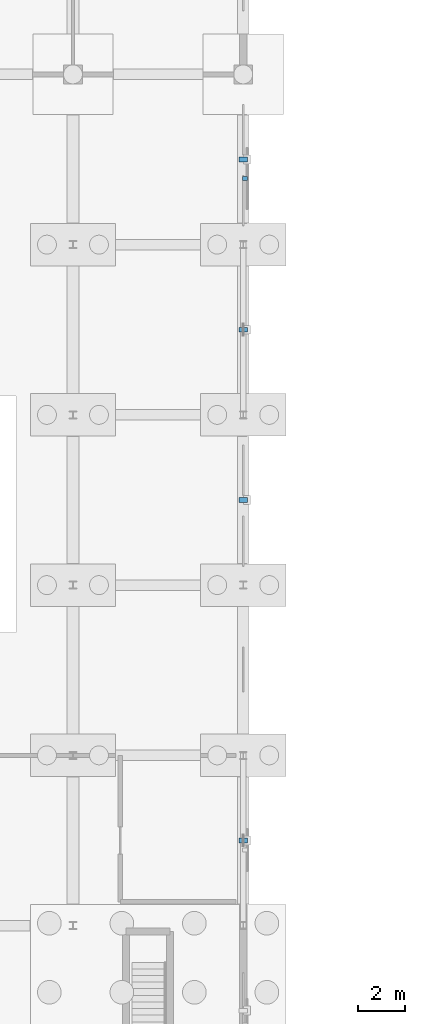
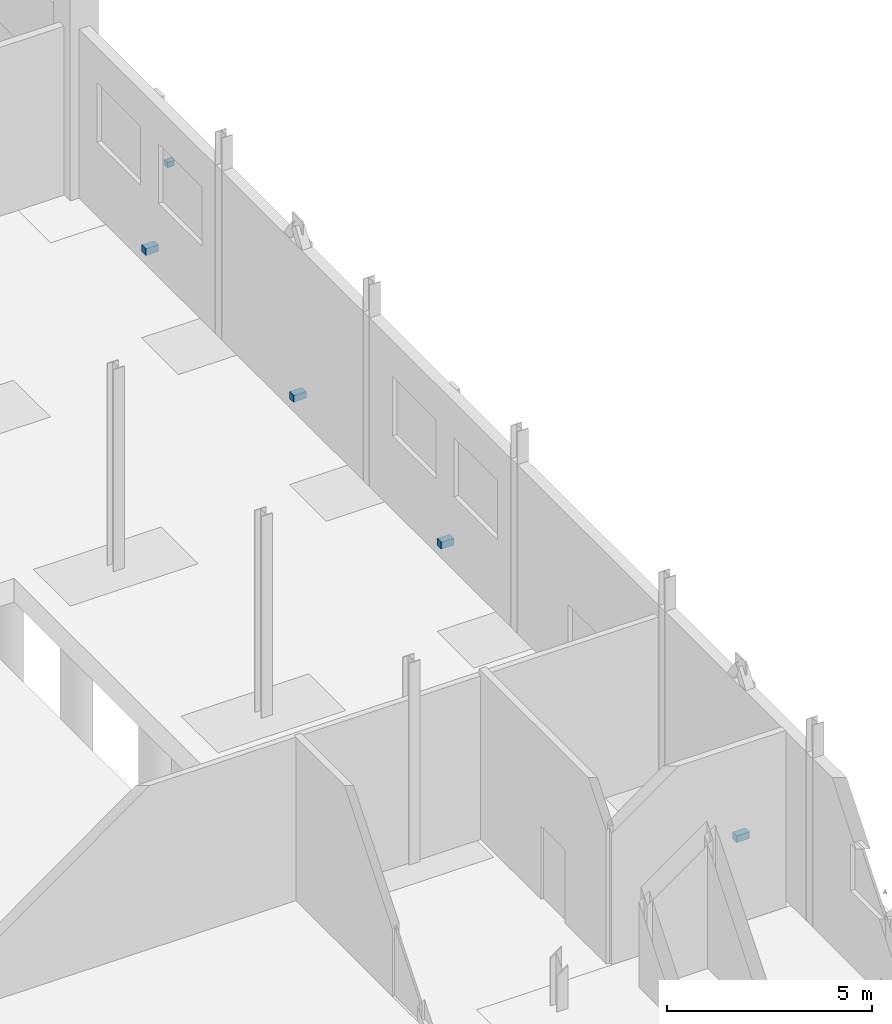
# One storey, part 40 of 45: 5 discrete accessories.
"""IFC4 building model written with IfcOpenShell, lengths in metres."""

from ifc_helpers import new_model, si_unit, direction, frame, origin, origin_2d, place, context, subcontext, project, spatial, rectangle, extrude, material, type_object, element, save


model = new_model("IFC4")

# Units and contexts
model_context = context("Model", 3, precision=1e-05, world=origin(), true_north=direction((0.0, 1.0)))
body_context = subcontext(model_context, "Body", "Model", "MODEL_VIEW")
ifc_project = project(units=[si_unit("LENGTHUNIT", "METRE"), si_unit("AREAUNIT", "SQUARE_METRE"), si_unit("VOLUMEUNIT", "CUBIC_METRE"), si_unit("PLANEANGLEUNIT", "RADIAN"), si_unit("MASSUNIT", "GRAM", prefix="KILO")], contexts=[model_context])

# Site, building, storey
site_placement = place(None, origin())
site = spatial("IfcSite", under=ifc_project, at=site_placement, CompositionType="ELEMENT")
building_placement = place(site_placement, origin())
building = spatial("IfcBuilding", under=site, at=building_placement, Name="Yarey Park Central Fire Station", CompositionType="ELEMENT")
storey_placement = place(building_placement, origin())
storey = spatial("IfcBuildingStorey", under=building, at=storey_placement, Name="L01", CompositionType="ELEMENT", Elevation=0.0)

# Discrete accessories
ifc_material = material(Name="Stainless Steel AISI 316L", Category="steel")
discrete_accessory_type = type_object("IfcDiscreteAccessoryType", Name="ENV_BRK_SS1", PredefinedType="BRACKET", material=ifc_material)
discrete_accessory_placement = place(storey_placement, frame((165.679931640625, 89.199951171875, 3.31982421875), z_axis=(0.0, 0.0, 1.0), x_axis=(1.0, 0.0, 0.0)))
element("IfcDiscreteAccessory", 1, at=discrete_accessory_placement, inside=storey, type_object=discrete_accessory_type, Name="BRK_LVR_V5_E_3", PredefinedType="BRACKET", context=body_context, shape_type="SweptSolid", body=[
    extrude(rectangle(XDim=0.199951171875, YDim=0.159912109375, at=origin_2d()), origin(), (0.0, 0.0, 1.0), 0.159912109375),
])
for number, where, z_axis, x_axis, name in (
    (2, (165.60009765625, 61.199951171875, 0.2998046875), (0.0, 0.0, 1.0), (1.0, 0.0, 0.0), "BRK_FIN_L01_EAST_PIL_06"),
    (3, (165.60009765625, 75.60009765625, 0.2998046875), (0.0, 0.0, 1.0), (1.0, 0.0, 0.0), "BRK_FIN_L01_EAST_PIL_07"),
    (4, (165.60009765625, 82.800048828125, 0.2998046875), (0.0, 0.0, 1.0), (1.0, 0.0, 0.0), "BRK_FIN_L01_EAST_PIL_08"),
    (5, (165.60009765625, 90.0, 0.2998046875), (0.0, 0.0, 1.0), (1.0, 0.0, 0.0), "BRK_FIN_L01_EAST_PIL_09"),
):
    element("IfcDiscreteAccessory", number, at=place(storey_placement, frame(where, z_axis=z_axis, x_axis=x_axis)), inside=storey, type_object=discrete_accessory_type, Name=name, PredefinedType="BRACKET", context=body_context, shape_type="SweptSolid", body=[
        extrude(rectangle(XDim=0.360107421875, YDim=0.199951171875, at=origin_2d()), origin(), (0.0, 0.0, 1.0), 0.199951171875),
    ])

save(model, "model.ifc")
